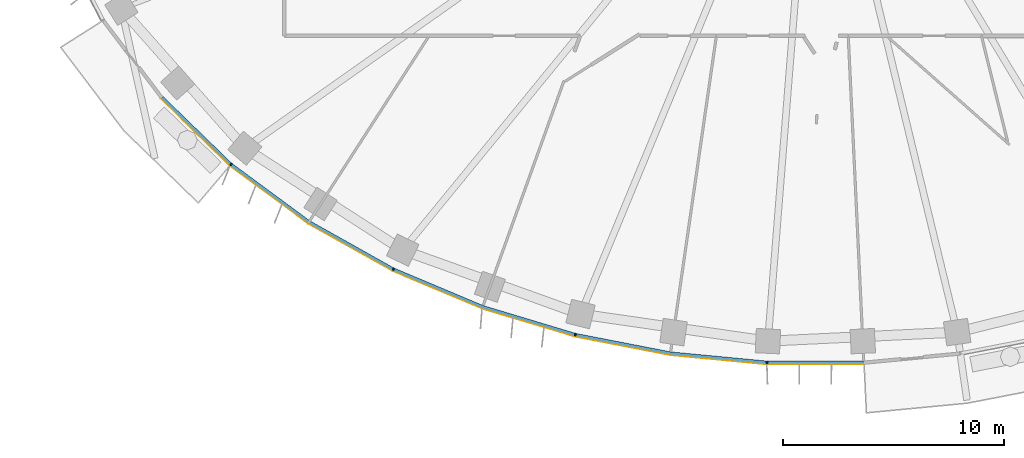
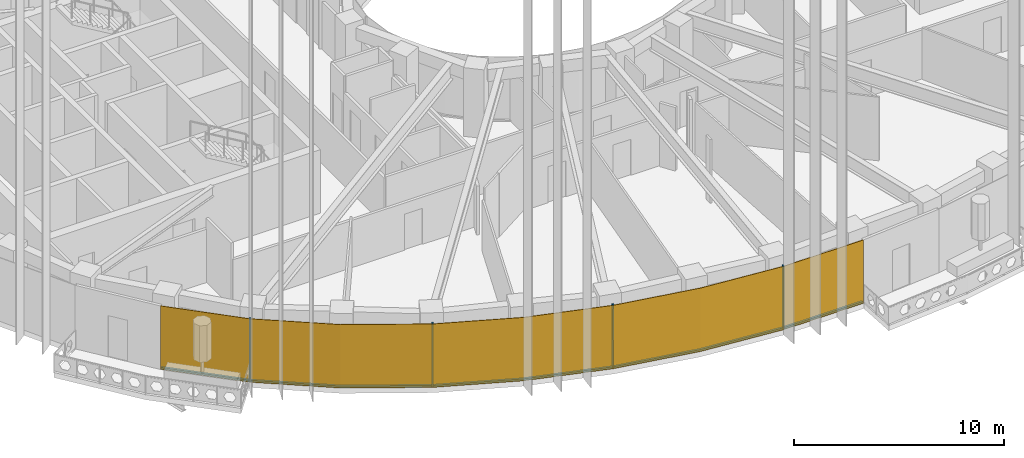
# One storey, part 8 of 19: 9 members, 1 curtain wall.
"""IFC4 building model written with IfcOpenShell, lengths in metres."""

from ifc_helpers import new_model, si_unit, direction, frame, origin, origin_2d, place, context, subcontext, project, spatial, polyline, rectangle, outline, extrude, material, layer, layer_set, material_profile, profile_set, type_object, element, aggregate, save


model = new_model("IFC4")

# Units and contexts
model_context = context("Model", 3, precision=1e-05, world=origin(), true_north=direction((0.0, 1.0)))
body_context = subcontext(model_context, "Body", "Model", "MODEL_VIEW")
ifc_project = project(units=[si_unit("LENGTHUNIT", "METRE"), si_unit("AREAUNIT", "SQUARE_METRE"), si_unit("VOLUMEUNIT", "CUBIC_METRE"), si_unit("PLANEANGLEUNIT", "RADIAN"), si_unit("MASSUNIT", "GRAM", prefix="KILO")], contexts=[model_context])

# Member
ifc_material_1 = material(Name="Aluminium 6063-T6 black anodised", Category="aluminium")
ifc_material_profile = material_profile(ifc_material_1, rectangle(XDim=0.1201171875, YDim=0.06005859375, at=origin_2d()), Name="120x60")
ifc_profile_set = profile_set([ifc_material_profile], Name="Aluminium 6063-T6 black anodised")
member_type_1 = type_object("IfcMemberType", Name="ENV-MULLION-A-120", PredefinedType="MULLION", material=ifc_profile_set)
site_placement = place(None, origin())
building_placement = place(site_placement, origin())
storey_placement = place(building_placement, frame((0.0, 0.0, 233.5)))
member_1_placement = place(storey_placement, frame((-26.403564453125, -18.9130859375, 0.0), z_axis=(0.0, 0.0, 1.0), x_axis=(0.646451313783, 0.762955240435, 0.0)))
member_1 = element("IfcMember", 1, at=member_1_placement, type_object=member_type_1, Name="Mullion A radial 29", PredefinedType="MULLION", context=body_context, shape_type="SweptSolid", body=[
    extrude(rectangle(XDim=0.1201171875, YDim=0.06005859375, at=origin_2d()), origin(), (0.0, 0.0, 1.0), 3.699951171875),
])

member_2_placement = place(storey_placement, frame((-19.06787109375, -23.6474609375, 0.0), z_axis=(0.0, 0.0, 1.0), x_axis=(0.439237769837, 0.898370848563, 0.0)))
member_2 = element("IfcMember", 2, at=member_2_placement, type_object=member_type_1, Name="Mullion A radial 31", PredefinedType="MULLION", context=body_context, shape_type="SweptSolid", body=[
    extrude(rectangle(XDim=0.1201171875, YDim=0.06005859375, at=origin_2d()), origin(), (0.0, 0.0, 1.0), 3.699951171875),
])

member_3_placement = place(storey_placement, frame((-10.84326171875, -26.60498046875, 0.0), z_axis=(0.0, 0.0, 1.0), x_axis=(0.239799081534, 0.970822538106, 0.0)))
member_3 = element("IfcMember", 3, at=member_3_placement, type_object=member_type_1, Name="Mullion A radial 33", PredefinedType="MULLION", context=body_context, shape_type="SweptSolid", body=[
    extrude(rectangle(XDim=0.1201171875, YDim=0.06005859375, at=origin_2d()), origin(), (0.0, 0.0, 1.0), 3.699951171875),
])

member_4_placement = place(storey_placement, frame((-2.188720703125, -27.856201171875, 0.0), z_axis=(0.0, 0.0, 1.0), x_axis=(0.047557873581, 0.998868484166, 0.0)))
member_4 = element("IfcMember", 4, at=member_4_placement, type_object=member_type_1, Name="Mullion A radial 35", PredefinedType="MULLION", context=body_context, shape_type="SweptSolid", body=[
    extrude(rectangle(XDim=0.1201171875, YDim=0.06005859375, at=origin_2d()), origin(), (0.0, 0.0, 1.0), 3.699951171875),
])

ifc_material_2 = material(Name="Aluminium 6063-T6 black anodised", Category="aluminium")
member_type_2 = type_object("IfcMemberType", Name="ENV-TRANSOM-A", PredefinedType="USERDEFINED", material=ifc_material_2)
member_5_placement = place(storey_placement, origin())
member_5 = element("IfcMember", 5, at=member_5_placement, type_object=member_type_2, Name="Transom A radial 28-29", ObjectType="TRANSOM", PredefinedType="USERDEFINED", context=body_context, shape_type="SweptSolid", body=[
    extrude(outline(polyline([(-29.569091796875, -15.9208984375), (-26.46240234375, -18.939208984375), (-26.384765625, -18.847412109375), (-29.47900390625, -15.841064453125), (-29.569091796875, -15.9208984375)])), origin(), (0.0, 0.0, 1.0), 0.10009765625),
])

member_6_placement = place(storey_placement, origin())
member_6 = element("IfcMember", 6, at=member_6_placement, type_object=member_type_2, Name="Transom A radial 29-31", ObjectType="TRANSOM", PredefinedType="USERDEFINED", context=body_context, shape_type="SweptSolid", body=[
    extrude(outline(polyline([(-26.419921875, -18.975341796875), (-22.9150390625, -21.556884765625), (-19.11865234375, -23.687744140625), (-19.06591796875, -23.57958984375), (-22.85009765625, -21.455810546875), (-26.342041015625, -18.883544921875), (-26.419921875, -18.975341796875)])), origin(), (0.0, 0.0, 1.0), 0.10009765625),
])

member_7_placement = place(storey_placement, origin())
member_7 = element("IfcMember", 7, at=member_7_placement, type_object=member_type_2, Name="Transom A radial 31-33", ObjectType="TRANSOM", PredefinedType="USERDEFINED", context=body_context, shape_type="SweptSolid", body=[
    extrude(outline(polyline([(-19.068359375, -23.71240234375), (-15.054443359375, -25.400146484375), (-10.884521484375, -26.655029296875), (-10.855712890625, -26.53857421875), (-15.013916015625, -25.287109375), (-19.015380859375, -23.604248046875), (-19.068359375, -23.71240234375)])), origin(), (0.0, 0.0, 1.0), 0.10009765625),
])

member_8_placement = place(storey_placement, origin())
member_8 = element("IfcMember", 8, at=member_8_placement, type_object=member_type_2, Name="Transom A radial 33-35", ObjectType="TRANSOM", PredefinedType="USERDEFINED", context=body_context, shape_type="SweptSolid", body=[
    extrude(outline(polyline([(-10.830078125, -26.66845703125), (-6.55517578125, -27.49951171875), (-2.219482421875, -27.913330078125), (-2.2138671875, -27.793212890625), (-6.537841796875, -27.380615234375), (-10.80126953125, -26.552001953125), (-10.830078125, -26.66845703125)])), origin(), (0.0, 0.0, 1.0), 0.10009765625),
])

member_9_placement = place(storey_placement, origin())
member_9 = element("IfcMember", 9, at=member_9_placement, type_object=member_type_2, Name="Transom A radial 35-36", ObjectType="TRANSOM", PredefinedType="USERDEFINED", context=body_context, shape_type="SweptSolid", body=[
    extrude(outline(polyline([(-2.163818359375, -27.916015625), (2.171630859375, -27.916015625), (2.166015625, -27.7958984375), (-2.157958984375, -27.7958984375), (-2.163818359375, -27.916015625)])), origin(), (0.0, 0.0, 1.0), 0.10009765625),
])

# Site, building, storey
site = spatial("IfcSite", under=ifc_project, at=site_placement, CompositionType="ELEMENT")
building = spatial("IfcBuilding", under=site, at=building_placement, Name="Noorbagh Ring Tower", CompositionType="ELEMENT")
storey = spatial("IfcBuildingStorey", under=building, at=storey_placement, Name="L48", CompositionType="ELEMENT", Elevation=233.5)

# Curtain wall
ifc_material_3 = material(Name="Glass dark tinted laminated", Category="glass")
ifc_layer = layer(ifc_material_3, 0.031982421875)
ifc_layer_set = layer_set([ifc_layer], Name="Glass dark tinted laminated")
curtain_wall_type = type_object("IfcCurtainWallType", Name="ENV-CW-A", PredefinedType="NOTDEFINED", material=ifc_layer_set)
curtain_wall_placement = place(storey_placement, origin())
curtain_wall = element("IfcCurtainWall", 10, at=curtain_wall_placement, inside=storey, type_object=curtain_wall_type, Name="Curtain wall A R28", PredefinedType="NOTDEFINED", context=body_context, shape_type="SweptSolid", body=[
    extrude(outline(polyline([(-29.59326171875, -15.942138671875), (-26.463134765625, -18.9833984375), (-22.9326171875, -21.583740234375), (-19.108154296875, -23.730224609375), (-15.065185546875, -25.430419921875), (-10.865234375, -26.6943359375), (-6.559814453125, -27.53125), (-2.193115234375, -27.947998046875), (2.173095703125, -27.947998046875), (2.171630859375, -27.916015625), (-2.191650390625, -27.916015625), (-6.55517578125, -27.49951171875), (-10.857666015625, -26.6630859375), (-15.054443359375, -25.400146484375), (-19.093994140625, -23.701416015625), (-22.9150390625, -21.556884765625), (-26.4423828125, -18.958740234375), (-29.569091796875, -15.9208984375), (-29.59326171875, -15.942138671875)])), origin(), (0.0, 0.0, 1.0), 3.699951171875),
])

aggregate(curtain_wall, [member_1, member_2, member_3, member_4, member_5, member_6, member_7, member_8, member_9])

save(model, "model.ifc")
